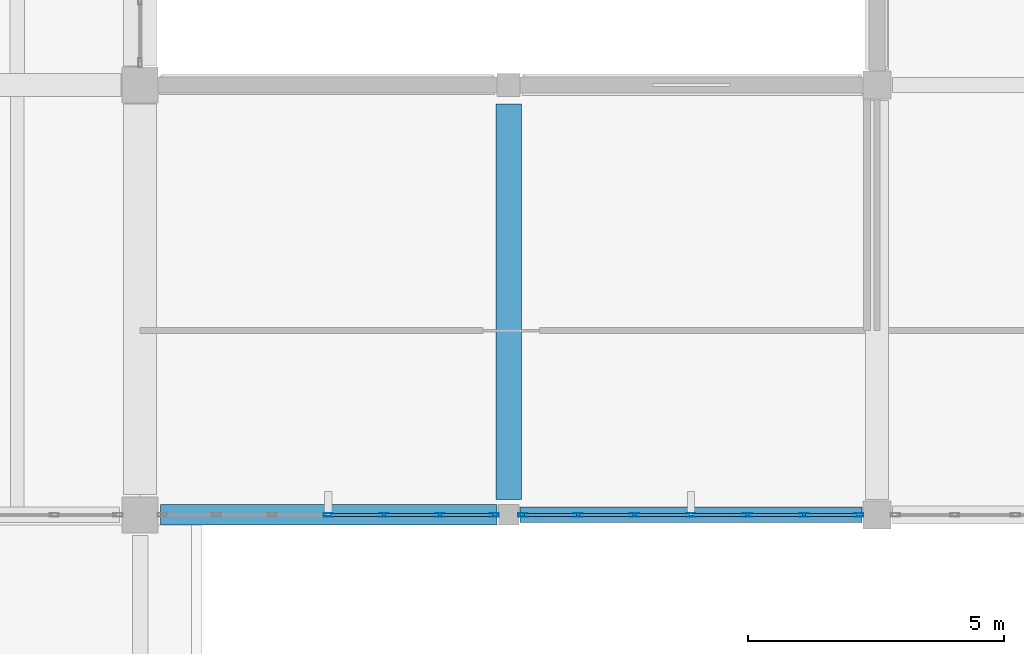
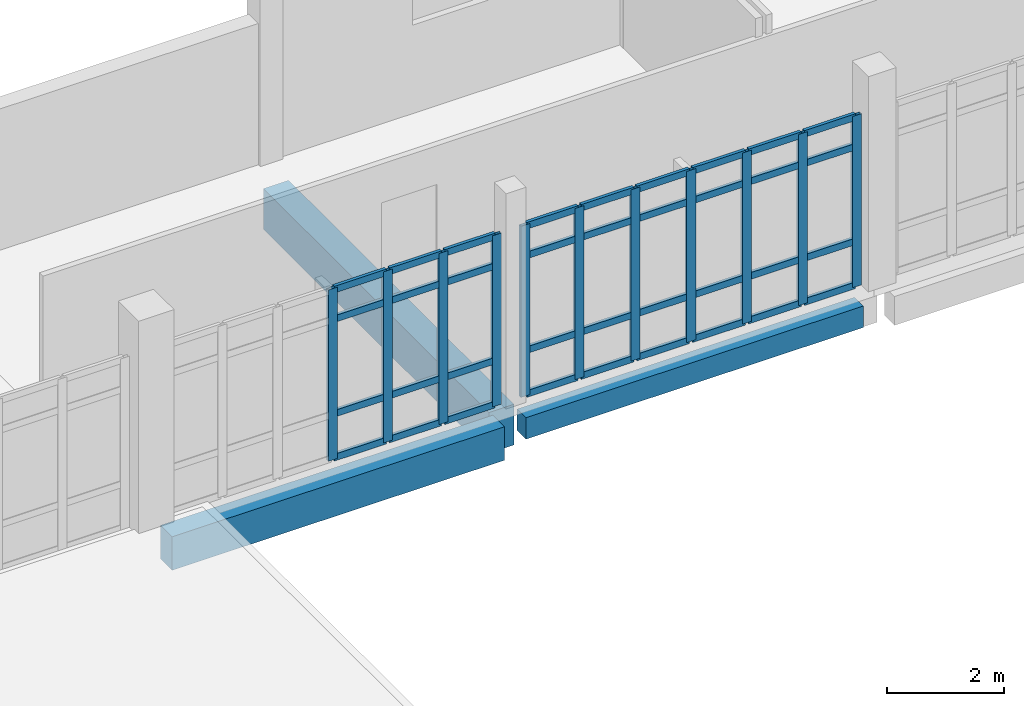
# One storey, part 70 of 134: 47 members, 3 beams, 2 elements without a shape of their own.
"""IFC4 building model written with IfcOpenShell, lengths in metres."""

from ifc_helpers import new_model, si_unit, direction, frame, origin, origin_2d, place, context, subcontext, project, spatial, rectangle, hollow_rectangle, extrude, material, material_profile, profile_set, type_object, element, aggregate, save


model = new_model("IFC4")

# Units and contexts
model_context = context("Model", 3, precision=1e-05, world=origin(), true_north=direction((0.0, 1.0)))
body_context = subcontext(model_context, "Body", "Model", "MODEL_VIEW")
ifc_project = project(units=[si_unit("LENGTHUNIT", "METRE"), si_unit("AREAUNIT", "SQUARE_METRE"), si_unit("VOLUMEUNIT", "CUBIC_METRE"), si_unit("PLANEANGLEUNIT", "RADIAN"), si_unit("MASSUNIT", "GRAM", prefix="KILO")], contexts=[model_context])

# Site, building, storey
site_placement = place(None, origin())
site = spatial("IfcSite", under=ifc_project, at=site_placement, CompositionType="ELEMENT")
building_placement = place(site_placement, origin())
building = spatial("IfcBuilding", under=site, at=building_placement, Name="Kalluvel Institute of Natural Sciences", CompositionType="ELEMENT")
storey_placement = place(building_placement, frame((0.0, 0.0, 5.39990234375)))
storey = spatial("IfcBuildingStorey", under=building, at=storey_placement, Name="L01", CompositionType="ELEMENT", Elevation=5.39990234375)

# Beam
ifc_material_1 = material(Name="Concrete M50", Category="concrete")
ifc_material_profile_1 = material_profile(ifc_material_1, rectangle(XDim=0.5, YDim=0.85009765625, at=origin_2d()), Name="RCB 500x850")
ifc_profile_set_1 = profile_set([ifc_material_profile_1], Name="Concrete M50")
beam_type_1 = type_object("IfcBeamType", Name="BM-RC500x850", PredefinedType="BEAM", material=ifc_profile_set_1)
beam_1_placement = place(storey_placement, frame((122.0, 103.10009765625, -0.784912109375), z_axis=(0.0, 1.0, 0.0), x_axis=(-1.0, 0.0, 0.0)))
element("IfcBeam", 1, at=beam_1_placement, inside=storey, type_object=beam_type_1, Name="L01 girder GIR-L01-NS-X1220-Y1028", PredefinedType="BEAM", context=body_context, shape_type="SweptSolid", body=[
    extrude(rectangle(XDim=0.5, YDim=0.85009765625, at=origin_2d()), origin(), (0.0, 0.0, 1.0), 7.724853515625),
])

# Curtain wall, members
ifc_material_2 = material(Name="Aluminium AW-6063 T6", Category="aluminium")
curtain_wall_type = type_object("IfcCurtainWallType", Name="CW-CLN-45", PredefinedType="USERDEFINED", material=ifc_material_2)
curtain_wall_1_placement = place(storey_placement, origin())
curtain_wall_1 = element("IfcCurtainWall", 2, at=curtain_wall_1_placement, inside=storey, type_object=curtain_wall_type, Name="L01 Gothic lancet curtain wall CWA-L01-X1152-Y1028", ObjectType="UNITISED LANCET FACADE", PredefinedType="USERDEFINED")
ifc_material_profile_2 = material_profile(ifc_material_2, hollow_rectangle(XDim=0.06494140625, YDim=0.179931640625, WallThickness=0.00439453125, at=origin_2d()), Name="CWM 65x180")
ifc_profile_set_2 = profile_set([ifc_material_profile_2], Name="Aluminium AW-6063 T6")
member_type_1 = type_object("IfcMemberType", Name="CWM-65x180", PredefinedType="MULLION", material=ifc_profile_set_2)
member_1_placement = place(storey_placement, frame((118.47509765625, 102.800048828125, 0.0), z_axis=(0.0, 0.0, 1.0), x_axis=(0.0, 1.0, 0.0)))
member_1 = element("IfcMember", 3, at=member_1_placement, type_object=member_type_1, Name="CW-08 mullion 4", PredefinedType="MULLION", context=body_context, shape_type="SweptSolid", body=[
    extrude(hollow_rectangle(XDim=0.06494140625, YDim=0.179931640625, WallThickness=0.00439453125, at=origin_2d()), origin(), (0.0, 0.0, 1.0), 3.580078125),
])
member_2_placement = place(storey_placement, frame((119.566650390625, 102.800048828125, 0.0), z_axis=(0.0, 0.0, 1.0), x_axis=(0.0, 1.0, 0.0)))
member_2 = element("IfcMember", 4, at=member_2_placement, type_object=member_type_1, Name="CW-08 mullion 5", PredefinedType="MULLION", context=body_context, shape_type="SweptSolid", body=[
    extrude(hollow_rectangle(XDim=0.06494140625, YDim=0.179931640625, WallThickness=0.00439453125, at=origin_2d()), origin(), (0.0, 0.0, 1.0), 3.580078125),
])
member_3_placement = place(storey_placement, frame((120.658447265625, 102.800048828125, 0.0), z_axis=(0.0, 0.0, 1.0), x_axis=(0.0, 1.0, 0.0)))
member_3 = element("IfcMember", 5, at=member_3_placement, type_object=member_type_1, Name="CW-08 mullion 6", PredefinedType="MULLION", context=body_context, shape_type="SweptSolid", body=[
    extrude(hollow_rectangle(XDim=0.06494140625, YDim=0.179931640625, WallThickness=0.00439453125, at=origin_2d()), origin(), (0.0, 0.0, 1.0), 3.580078125),
])
member_4_placement = place(storey_placement, frame((121.717529296875, 102.800048828125, 0.0), z_axis=(0.0, 0.0, 1.0), x_axis=(0.0, 1.0, 0.0)))
member_4 = element("IfcMember", 6, at=member_4_placement, type_object=member_type_1, Name="CW-08 mullion 7", PredefinedType="MULLION", context=body_context, shape_type="SweptSolid", body=[
    extrude(hollow_rectangle(XDim=0.06494140625, YDim=0.179931640625, WallThickness=0.00439453125, at=origin_2d()), origin(), (0.0, 0.0, 1.0), 3.580078125),
])

curtain_wall_2_placement = place(storey_placement, origin())
curtain_wall_2 = element("IfcCurtainWall", 7, at=curtain_wall_2_placement, inside=storey, type_object=curtain_wall_type, Name="L01 Gothic lancet curtain wall CWA-L01-X1222-Y1028", ObjectType="UNITISED LANCET FACADE", PredefinedType="USERDEFINED")
member_5_placement = place(storey_placement, frame((122.282470703125, 102.800048828125, 0.0), z_axis=(0.0, 0.0, 1.0), x_axis=(0.0, 1.0, 0.0)))
member_5 = element("IfcMember", 8, at=member_5_placement, type_object=member_type_1, Name="CW-08 mullion 1", PredefinedType="MULLION", context=body_context, shape_type="SweptSolid", body=[
    extrude(hollow_rectangle(XDim=0.06494140625, YDim=0.179931640625, WallThickness=0.00439453125, at=origin_2d()), origin(), (0.0, 0.0, 1.0), 3.580078125),
])
member_6_placement = place(storey_placement, frame((123.354248046875, 102.800048828125, 0.0), z_axis=(0.0, 0.0, 1.0), x_axis=(0.0, 1.0, 0.0)))
member_6 = element("IfcMember", 9, at=member_6_placement, type_object=member_type_1, Name="CW-08 mullion 2", PredefinedType="MULLION", context=body_context, shape_type="SweptSolid", body=[
    extrude(hollow_rectangle(XDim=0.06494140625, YDim=0.179931640625, WallThickness=0.00439453125, at=origin_2d()), origin(), (0.0, 0.0, 1.0), 3.580078125),
])
member_7_placement = place(storey_placement, frame((124.458251953125, 102.800048828125, 0.0), z_axis=(0.0, 0.0, 1.0), x_axis=(0.0, 1.0, 0.0)))
member_7 = element("IfcMember", 10, at=member_7_placement, type_object=member_type_1, Name="CW-08 mullion 3", PredefinedType="MULLION", context=body_context, shape_type="SweptSolid", body=[
    extrude(hollow_rectangle(XDim=0.06494140625, YDim=0.179931640625, WallThickness=0.00439453125, at=origin_2d()), origin(), (0.0, 0.0, 1.0), 3.580078125),
])
member_8_placement = place(storey_placement, frame((125.5625, 102.800048828125, 0.0), z_axis=(0.0, 0.0, 1.0), x_axis=(0.0, 1.0, 0.0)))
member_8 = element("IfcMember", 11, at=member_8_placement, type_object=member_type_1, Name="CW-08 mullion 4", PredefinedType="MULLION", context=body_context, shape_type="SweptSolid", body=[
    extrude(hollow_rectangle(XDim=0.06494140625, YDim=0.179931640625, WallThickness=0.00439453125, at=origin_2d()), origin(), (0.0, 0.0, 1.0), 3.580078125),
])
member_9_placement = place(storey_placement, frame((126.666748046875, 102.800048828125, 0.0), z_axis=(0.0, 0.0, 1.0), x_axis=(0.0, 1.0, 0.0)))
member_9 = element("IfcMember", 12, at=member_9_placement, type_object=member_type_1, Name="CW-08 mullion 5", PredefinedType="MULLION", context=body_context, shape_type="SweptSolid", body=[
    extrude(hollow_rectangle(XDim=0.06494140625, YDim=0.179931640625, WallThickness=0.00439453125, at=origin_2d()), origin(), (0.0, 0.0, 1.0), 3.580078125),
])
member_10_placement = place(storey_placement, frame((127.770751953125, 102.800048828125, 0.0), z_axis=(0.0, 0.0, 1.0), x_axis=(0.0, 1.0, 0.0)))
member_10 = element("IfcMember", 13, at=member_10_placement, type_object=member_type_1, Name="CW-08 mullion 6", PredefinedType="MULLION", context=body_context, shape_type="SweptSolid", body=[
    extrude(hollow_rectangle(XDim=0.06494140625, YDim=0.179931640625, WallThickness=0.00439453125, at=origin_2d()), origin(), (0.0, 0.0, 1.0), 3.580078125),
])
member_11_placement = place(storey_placement, frame((128.842529296875, 102.800048828125, 0.0), z_axis=(0.0, 0.0, 1.0), x_axis=(0.0, 1.0, 0.0)))
member_11 = element("IfcMember", 14, at=member_11_placement, type_object=member_type_1, Name="CW-08 mullion 7", PredefinedType="MULLION", context=body_context, shape_type="SweptSolid", body=[
    extrude(hollow_rectangle(XDim=0.06494140625, YDim=0.179931640625, WallThickness=0.00439453125, at=origin_2d()), origin(), (0.0, 0.0, 1.0), 3.580078125),
])

# Member
ifc_material_profile_3 = material_profile(ifc_material_2, hollow_rectangle(XDim=0.06494140625, YDim=0.139892578125, WallThickness=0.00439453125, at=origin_2d()), Name="CWT 65x140")
ifc_profile_set_3 = profile_set([ifc_material_profile_3], Name="Aluminium AW-6063 T6")
member_type_2 = type_object("IfcMemberType", Name="CWT-65x140", PredefinedType="USERDEFINED", material=ifc_profile_set_3)
member_12_placement = place(storey_placement, frame((118.507568359375, 102.800048828125, 0.03271484375), z_axis=(1.0, 0.0, 0.0), x_axis=(0.0, 1.0, 0.0)))
member_12 = element("IfcMember", 15, at=member_12_placement, type_object=member_type_2, Name="CW-08 transom 4.1", ObjectType="TRANSOM", PredefinedType="USERDEFINED", context=body_context, shape_type="SweptSolid", body=[
    extrude(hollow_rectangle(XDim=0.06494140625, YDim=0.139892578125, WallThickness=0.00439453125, at=origin_2d()), origin(), (0.0, 0.0, 1.0), 1.026611328125),
])

member_13_placement = place(storey_placement, frame((118.507568359375, 102.800048828125, 0.9501953125), z_axis=(1.0, 0.0, 0.0), x_axis=(0.0, 1.0, 0.0)))
member_13 = element("IfcMember", 16, at=member_13_placement, type_object=member_type_2, Name="CW-08 transom 4.2", ObjectType="TRANSOM", PredefinedType="USERDEFINED", context=body_context, shape_type="SweptSolid", body=[
    extrude(hollow_rectangle(XDim=0.06494140625, YDim=0.139892578125, WallThickness=0.00439453125, at=origin_2d()), origin(), (0.0, 0.0, 1.0), 1.026611328125),
])

member_14_placement = place(storey_placement, frame((118.507568359375, 102.800048828125, 2.93017578125), z_axis=(1.0, 0.0, 0.0), x_axis=(0.0, 1.0, 0.0)))
member_14 = element("IfcMember", 17, at=member_14_placement, type_object=member_type_2, Name="CW-08 transom 4.3", ObjectType="TRANSOM", PredefinedType="USERDEFINED", context=body_context, shape_type="SweptSolid", body=[
    extrude(hollow_rectangle(XDim=0.06494140625, YDim=0.139892578125, WallThickness=0.00439453125, at=origin_2d()), origin(), (0.0, 0.0, 1.0), 1.026611328125),
])

member_15_placement = place(storey_placement, frame((118.507568359375, 102.800048828125, 3.547607421875), z_axis=(1.0, 0.0, 0.0), x_axis=(0.0, 1.0, 0.0)))
member_15 = element("IfcMember", 18, at=member_15_placement, type_object=member_type_2, Name="CW-08 transom 4.4", ObjectType="TRANSOM", PredefinedType="USERDEFINED", context=body_context, shape_type="SweptSolid", body=[
    extrude(hollow_rectangle(XDim=0.06494140625, YDim=0.139892578125, WallThickness=0.00439453125, at=origin_2d()), origin(), (0.0, 0.0, 1.0), 1.026611328125),
])

member_16_placement = place(storey_placement, frame((119.59912109375, 102.800048828125, 0.03271484375), z_axis=(1.0, 0.0, 0.0), x_axis=(0.0, 1.0, 0.0)))
member_16 = element("IfcMember", 19, at=member_16_placement, type_object=member_type_2, Name="CW-08 transom 5.1", ObjectType="TRANSOM", PredefinedType="USERDEFINED", context=body_context, shape_type="SweptSolid", body=[
    extrude(hollow_rectangle(XDim=0.06494140625, YDim=0.139892578125, WallThickness=0.00439453125, at=origin_2d()), origin(), (0.0, 0.0, 1.0), 1.026611328125),
])

member_17_placement = place(storey_placement, frame((119.59912109375, 102.800048828125, 0.9501953125), z_axis=(1.0, 0.0, 0.0), x_axis=(0.0, 1.0, 0.0)))
member_17 = element("IfcMember", 20, at=member_17_placement, type_object=member_type_2, Name="CW-08 transom 5.2", ObjectType="TRANSOM", PredefinedType="USERDEFINED", context=body_context, shape_type="SweptSolid", body=[
    extrude(hollow_rectangle(XDim=0.06494140625, YDim=0.139892578125, WallThickness=0.00439453125, at=origin_2d()), origin(), (0.0, 0.0, 1.0), 1.026611328125),
])

member_18_placement = place(storey_placement, frame((119.59912109375, 102.800048828125, 2.93017578125), z_axis=(1.0, 0.0, 0.0), x_axis=(0.0, 1.0, 0.0)))
member_18 = element("IfcMember", 21, at=member_18_placement, type_object=member_type_2, Name="CW-08 transom 5.3", ObjectType="TRANSOM", PredefinedType="USERDEFINED", context=body_context, shape_type="SweptSolid", body=[
    extrude(hollow_rectangle(XDim=0.06494140625, YDim=0.139892578125, WallThickness=0.00439453125, at=origin_2d()), origin(), (0.0, 0.0, 1.0), 1.026611328125),
])

member_19_placement = place(storey_placement, frame((119.59912109375, 102.800048828125, 3.547607421875), z_axis=(1.0, 0.0, 0.0), x_axis=(0.0, 1.0, 0.0)))
member_19 = element("IfcMember", 22, at=member_19_placement, type_object=member_type_2, Name="CW-08 transom 5.4", ObjectType="TRANSOM", PredefinedType="USERDEFINED", context=body_context, shape_type="SweptSolid", body=[
    extrude(hollow_rectangle(XDim=0.06494140625, YDim=0.139892578125, WallThickness=0.00439453125, at=origin_2d()), origin(), (0.0, 0.0, 1.0), 1.026611328125),
])

member_20_placement = place(storey_placement, frame((120.69091796875, 102.800048828125, 0.03271484375), z_axis=(1.0, 0.0, 0.0), x_axis=(0.0, 1.0, 0.0)))
member_20 = element("IfcMember", 23, at=member_20_placement, type_object=member_type_2, Name="CW-08 transom 6.1", ObjectType="TRANSOM", PredefinedType="USERDEFINED", context=body_context, shape_type="SweptSolid", body=[
    extrude(hollow_rectangle(XDim=0.06494140625, YDim=0.139892578125, WallThickness=0.00439453125, at=origin_2d()), origin(), (0.0, 0.0, 1.0), 0.994140625),
])

member_21_placement = place(storey_placement, frame((120.69091796875, 102.800048828125, 0.9501953125), z_axis=(1.0, 0.0, 0.0), x_axis=(0.0, 1.0, 0.0)))
member_21 = element("IfcMember", 24, at=member_21_placement, type_object=member_type_2, Name="CW-08 transom 6.2", ObjectType="TRANSOM", PredefinedType="USERDEFINED", context=body_context, shape_type="SweptSolid", body=[
    extrude(hollow_rectangle(XDim=0.06494140625, YDim=0.139892578125, WallThickness=0.00439453125, at=origin_2d()), origin(), (0.0, 0.0, 1.0), 0.994140625),
])

member_22_placement = place(storey_placement, frame((120.69091796875, 102.800048828125, 2.93017578125), z_axis=(1.0, 0.0, 0.0), x_axis=(0.0, 1.0, 0.0)))
member_22 = element("IfcMember", 25, at=member_22_placement, type_object=member_type_2, Name="CW-08 transom 6.3", ObjectType="TRANSOM", PredefinedType="USERDEFINED", context=body_context, shape_type="SweptSolid", body=[
    extrude(hollow_rectangle(XDim=0.06494140625, YDim=0.139892578125, WallThickness=0.00439453125, at=origin_2d()), origin(), (0.0, 0.0, 1.0), 0.994140625),
])

member_23_placement = place(storey_placement, frame((120.69091796875, 102.800048828125, 3.547607421875), z_axis=(1.0, 0.0, 0.0), x_axis=(0.0, 1.0, 0.0)))
member_23 = element("IfcMember", 26, at=member_23_placement, type_object=member_type_2, Name="CW-08 transom 6.4", ObjectType="TRANSOM", PredefinedType="USERDEFINED", context=body_context, shape_type="SweptSolid", body=[
    extrude(hollow_rectangle(XDim=0.06494140625, YDim=0.139892578125, WallThickness=0.00439453125, at=origin_2d()), origin(), (0.0, 0.0, 1.0), 0.994140625),
])

aggregate(curtain_wall_1, [member_1, member_2, member_3, member_4, member_12, member_13, member_14, member_15, member_16, member_17, member_18, member_19, member_20, member_21, member_22, member_23])

member_24_placement = place(storey_placement, frame((122.31494140625, 102.800048828125, 0.03271484375), z_axis=(1.0, 0.0, 0.0), x_axis=(0.0, 1.0, 0.0)))
member_24 = element("IfcMember", 27, at=member_24_placement, type_object=member_type_2, Name="CW-08 transom 1.1", ObjectType="TRANSOM", PredefinedType="USERDEFINED", context=body_context, shape_type="SweptSolid", body=[
    extrude(hollow_rectangle(XDim=0.06494140625, YDim=0.139892578125, WallThickness=0.00439453125, at=origin_2d()), origin(), (0.0, 0.0, 1.0), 1.0068359375),
])

member_25_placement = place(storey_placement, frame((122.31494140625, 102.800048828125, 0.9501953125), z_axis=(1.0, 0.0, 0.0), x_axis=(0.0, 1.0, 0.0)))
member_25 = element("IfcMember", 28, at=member_25_placement, type_object=member_type_2, Name="CW-08 transom 1.2", ObjectType="TRANSOM", PredefinedType="USERDEFINED", context=body_context, shape_type="SweptSolid", body=[
    extrude(hollow_rectangle(XDim=0.06494140625, YDim=0.139892578125, WallThickness=0.00439453125, at=origin_2d()), origin(), (0.0, 0.0, 1.0), 1.0068359375),
])

member_26_placement = place(storey_placement, frame((122.31494140625, 102.800048828125, 2.93017578125), z_axis=(1.0, 0.0, 0.0), x_axis=(0.0, 1.0, 0.0)))
member_26 = element("IfcMember", 29, at=member_26_placement, type_object=member_type_2, Name="CW-08 transom 1.3", ObjectType="TRANSOM", PredefinedType="USERDEFINED", context=body_context, shape_type="SweptSolid", body=[
    extrude(hollow_rectangle(XDim=0.06494140625, YDim=0.139892578125, WallThickness=0.00439453125, at=origin_2d()), origin(), (0.0, 0.0, 1.0), 1.0068359375),
])

member_27_placement = place(storey_placement, frame((122.31494140625, 102.800048828125, 3.547607421875), z_axis=(1.0, 0.0, 0.0), x_axis=(0.0, 1.0, 0.0)))
member_27 = element("IfcMember", 30, at=member_27_placement, type_object=member_type_2, Name="CW-08 transom 1.4", ObjectType="TRANSOM", PredefinedType="USERDEFINED", context=body_context, shape_type="SweptSolid", body=[
    extrude(hollow_rectangle(XDim=0.06494140625, YDim=0.139892578125, WallThickness=0.00439453125, at=origin_2d()), origin(), (0.0, 0.0, 1.0), 1.0068359375),
])

member_28_placement = place(storey_placement, frame((123.38671875, 102.800048828125, 0.03271484375), z_axis=(1.0, 0.0, 0.0), x_axis=(0.0, 1.0, 0.0)))
member_28 = element("IfcMember", 31, at=member_28_placement, type_object=member_type_2, Name="CW-08 transom 2.1", ObjectType="TRANSOM", PredefinedType="USERDEFINED", context=body_context, shape_type="SweptSolid", body=[
    extrude(hollow_rectangle(XDim=0.06494140625, YDim=0.139892578125, WallThickness=0.00439453125, at=origin_2d()), origin(), (0.0, 0.0, 1.0), 1.0390625),
])

member_29_placement = place(storey_placement, frame((123.38671875, 102.800048828125, 0.9501953125), z_axis=(1.0, 0.0, 0.0), x_axis=(0.0, 1.0, 0.0)))
member_29 = element("IfcMember", 32, at=member_29_placement, type_object=member_type_2, Name="CW-08 transom 2.2", ObjectType="TRANSOM", PredefinedType="USERDEFINED", context=body_context, shape_type="SweptSolid", body=[
    extrude(hollow_rectangle(XDim=0.06494140625, YDim=0.139892578125, WallThickness=0.00439453125, at=origin_2d()), origin(), (0.0, 0.0, 1.0), 1.0390625),
])

member_30_placement = place(storey_placement, frame((123.38671875, 102.800048828125, 2.93017578125), z_axis=(1.0, 0.0, 0.0), x_axis=(0.0, 1.0, 0.0)))
member_30 = element("IfcMember", 33, at=member_30_placement, type_object=member_type_2, Name="CW-08 transom 2.3", ObjectType="TRANSOM", PredefinedType="USERDEFINED", context=body_context, shape_type="SweptSolid", body=[
    extrude(hollow_rectangle(XDim=0.06494140625, YDim=0.139892578125, WallThickness=0.00439453125, at=origin_2d()), origin(), (0.0, 0.0, 1.0), 1.0390625),
])

member_31_placement = place(storey_placement, frame((123.38671875, 102.800048828125, 3.547607421875), z_axis=(1.0, 0.0, 0.0), x_axis=(0.0, 1.0, 0.0)))
member_31 = element("IfcMember", 34, at=member_31_placement, type_object=member_type_2, Name="CW-08 transom 2.4", ObjectType="TRANSOM", PredefinedType="USERDEFINED", context=body_context, shape_type="SweptSolid", body=[
    extrude(hollow_rectangle(XDim=0.06494140625, YDim=0.139892578125, WallThickness=0.00439453125, at=origin_2d()), origin(), (0.0, 0.0, 1.0), 1.0390625),
])

member_32_placement = place(storey_placement, frame((124.49072265625, 102.800048828125, 0.03271484375), z_axis=(1.0, 0.0, 0.0), x_axis=(0.0, 1.0, 0.0)))
member_32 = element("IfcMember", 35, at=member_32_placement, type_object=member_type_2, Name="CW-08 transom 3.1", ObjectType="TRANSOM", PredefinedType="USERDEFINED", context=body_context, shape_type="SweptSolid", body=[
    extrude(hollow_rectangle(XDim=0.06494140625, YDim=0.139892578125, WallThickness=0.00439453125, at=origin_2d()), origin(), (0.0, 0.0, 1.0), 1.039306640625),
])

member_33_placement = place(storey_placement, frame((124.49072265625, 102.800048828125, 0.9501953125), z_axis=(1.0, 0.0, 0.0), x_axis=(0.0, 1.0, 0.0)))
member_33 = element("IfcMember", 36, at=member_33_placement, type_object=member_type_2, Name="CW-08 transom 3.2", ObjectType="TRANSOM", PredefinedType="USERDEFINED", context=body_context, shape_type="SweptSolid", body=[
    extrude(hollow_rectangle(XDim=0.06494140625, YDim=0.139892578125, WallThickness=0.00439453125, at=origin_2d()), origin(), (0.0, 0.0, 1.0), 1.039306640625),
])

member_34_placement = place(storey_placement, frame((124.49072265625, 102.800048828125, 2.93017578125), z_axis=(1.0, 0.0, 0.0), x_axis=(0.0, 1.0, 0.0)))
member_34 = element("IfcMember", 37, at=member_34_placement, type_object=member_type_2, Name="CW-08 transom 3.3", ObjectType="TRANSOM", PredefinedType="USERDEFINED", context=body_context, shape_type="SweptSolid", body=[
    extrude(hollow_rectangle(XDim=0.06494140625, YDim=0.139892578125, WallThickness=0.00439453125, at=origin_2d()), origin(), (0.0, 0.0, 1.0), 1.039306640625),
])

member_35_placement = place(storey_placement, frame((124.49072265625, 102.800048828125, 3.547607421875), z_axis=(1.0, 0.0, 0.0), x_axis=(0.0, 1.0, 0.0)))
member_35 = element("IfcMember", 38, at=member_35_placement, type_object=member_type_2, Name="CW-08 transom 3.4", ObjectType="TRANSOM", PredefinedType="USERDEFINED", context=body_context, shape_type="SweptSolid", body=[
    extrude(hollow_rectangle(XDim=0.06494140625, YDim=0.139892578125, WallThickness=0.00439453125, at=origin_2d()), origin(), (0.0, 0.0, 1.0), 1.039306640625),
])

member_36_placement = place(storey_placement, frame((125.594970703125, 102.800048828125, 0.03271484375), z_axis=(1.0, 0.0, 0.0), x_axis=(0.0, 1.0, 0.0)))
member_36 = element("IfcMember", 39, at=member_36_placement, type_object=member_type_2, Name="CW-08 transom 4.1", ObjectType="TRANSOM", PredefinedType="USERDEFINED", context=body_context, shape_type="SweptSolid", body=[
    extrude(hollow_rectangle(XDim=0.06494140625, YDim=0.139892578125, WallThickness=0.00439453125, at=origin_2d()), origin(), (0.0, 0.0, 1.0), 1.039306640625),
])

member_37_placement = place(storey_placement, frame((125.594970703125, 102.800048828125, 0.9501953125), z_axis=(1.0, 0.0, 0.0), x_axis=(0.0, 1.0, 0.0)))
member_37 = element("IfcMember", 40, at=member_37_placement, type_object=member_type_2, Name="CW-08 transom 4.2", ObjectType="TRANSOM", PredefinedType="USERDEFINED", context=body_context, shape_type="SweptSolid", body=[
    extrude(hollow_rectangle(XDim=0.06494140625, YDim=0.139892578125, WallThickness=0.00439453125, at=origin_2d()), origin(), (0.0, 0.0, 1.0), 1.039306640625),
])

member_38_placement = place(storey_placement, frame((125.594970703125, 102.800048828125, 2.93017578125), z_axis=(1.0, 0.0, 0.0), x_axis=(0.0, 1.0, 0.0)))
member_38 = element("IfcMember", 41, at=member_38_placement, type_object=member_type_2, Name="CW-08 transom 4.3", ObjectType="TRANSOM", PredefinedType="USERDEFINED", context=body_context, shape_type="SweptSolid", body=[
    extrude(hollow_rectangle(XDim=0.06494140625, YDim=0.139892578125, WallThickness=0.00439453125, at=origin_2d()), origin(), (0.0, 0.0, 1.0), 1.039306640625),
])

member_39_placement = place(storey_placement, frame((125.594970703125, 102.800048828125, 3.547607421875), z_axis=(1.0, 0.0, 0.0), x_axis=(0.0, 1.0, 0.0)))
member_39 = element("IfcMember", 42, at=member_39_placement, type_object=member_type_2, Name="CW-08 transom 4.4", ObjectType="TRANSOM", PredefinedType="USERDEFINED", context=body_context, shape_type="SweptSolid", body=[
    extrude(hollow_rectangle(XDim=0.06494140625, YDim=0.139892578125, WallThickness=0.00439453125, at=origin_2d()), origin(), (0.0, 0.0, 1.0), 1.039306640625),
])

member_40_placement = place(storey_placement, frame((126.69921875, 102.800048828125, 0.03271484375), z_axis=(1.0, 0.0, 0.0), x_axis=(0.0, 1.0, 0.0)))
member_40 = element("IfcMember", 43, at=member_40_placement, type_object=member_type_2, Name="CW-08 transom 5.1", ObjectType="TRANSOM", PredefinedType="USERDEFINED", context=body_context, shape_type="SweptSolid", body=[
    extrude(hollow_rectangle(XDim=0.06494140625, YDim=0.139892578125, WallThickness=0.00439453125, at=origin_2d()), origin(), (0.0, 0.0, 1.0), 1.0390625),
])

member_41_placement = place(storey_placement, frame((126.69921875, 102.800048828125, 0.9501953125), z_axis=(1.0, 0.0, 0.0), x_axis=(0.0, 1.0, 0.0)))
member_41 = element("IfcMember", 44, at=member_41_placement, type_object=member_type_2, Name="CW-08 transom 5.2", ObjectType="TRANSOM", PredefinedType="USERDEFINED", context=body_context, shape_type="SweptSolid", body=[
    extrude(hollow_rectangle(XDim=0.06494140625, YDim=0.139892578125, WallThickness=0.00439453125, at=origin_2d()), origin(), (0.0, 0.0, 1.0), 1.0390625),
])

member_42_placement = place(storey_placement, frame((126.69921875, 102.800048828125, 2.93017578125), z_axis=(1.0, 0.0, 0.0), x_axis=(0.0, 1.0, 0.0)))
member_42 = element("IfcMember", 45, at=member_42_placement, type_object=member_type_2, Name="CW-08 transom 5.3", ObjectType="TRANSOM", PredefinedType="USERDEFINED", context=body_context, shape_type="SweptSolid", body=[
    extrude(hollow_rectangle(XDim=0.06494140625, YDim=0.139892578125, WallThickness=0.00439453125, at=origin_2d()), origin(), (0.0, 0.0, 1.0), 1.0390625),
])

member_43_placement = place(storey_placement, frame((126.69921875, 102.800048828125, 3.547607421875), z_axis=(1.0, 0.0, 0.0), x_axis=(0.0, 1.0, 0.0)))
member_43 = element("IfcMember", 46, at=member_43_placement, type_object=member_type_2, Name="CW-08 transom 5.4", ObjectType="TRANSOM", PredefinedType="USERDEFINED", context=body_context, shape_type="SweptSolid", body=[
    extrude(hollow_rectangle(XDim=0.06494140625, YDim=0.139892578125, WallThickness=0.00439453125, at=origin_2d()), origin(), (0.0, 0.0, 1.0), 1.0390625),
])

member_44_placement = place(storey_placement, frame((127.80322265625, 102.800048828125, 0.03271484375), z_axis=(1.0, 0.0, 0.0), x_axis=(0.0, 1.0, 0.0)))
member_44 = element("IfcMember", 47, at=member_44_placement, type_object=member_type_2, Name="CW-08 transom 6.1", ObjectType="TRANSOM", PredefinedType="USERDEFINED", context=body_context, shape_type="SweptSolid", body=[
    extrude(hollow_rectangle(XDim=0.06494140625, YDim=0.139892578125, WallThickness=0.00439453125, at=origin_2d()), origin(), (0.0, 0.0, 1.0), 1.0068359375),
])

member_45_placement = place(storey_placement, frame((127.80322265625, 102.800048828125, 0.9501953125), z_axis=(1.0, 0.0, 0.0), x_axis=(0.0, 1.0, 0.0)))
member_45 = element("IfcMember", 48, at=member_45_placement, type_object=member_type_2, Name="CW-08 transom 6.2", ObjectType="TRANSOM", PredefinedType="USERDEFINED", context=body_context, shape_type="SweptSolid", body=[
    extrude(hollow_rectangle(XDim=0.06494140625, YDim=0.139892578125, WallThickness=0.00439453125, at=origin_2d()), origin(), (0.0, 0.0, 1.0), 1.0068359375),
])

member_46_placement = place(storey_placement, frame((127.80322265625, 102.800048828125, 2.93017578125), z_axis=(1.0, 0.0, 0.0), x_axis=(0.0, 1.0, 0.0)))
member_46 = element("IfcMember", 49, at=member_46_placement, type_object=member_type_2, Name="CW-08 transom 6.3", ObjectType="TRANSOM", PredefinedType="USERDEFINED", context=body_context, shape_type="SweptSolid", body=[
    extrude(hollow_rectangle(XDim=0.06494140625, YDim=0.139892578125, WallThickness=0.00439453125, at=origin_2d()), origin(), (0.0, 0.0, 1.0), 1.0068359375),
])

member_47_placement = place(storey_placement, frame((127.80322265625, 102.800048828125, 3.547607421875), z_axis=(1.0, 0.0, 0.0), x_axis=(0.0, 1.0, 0.0)))
member_47 = element("IfcMember", 50, at=member_47_placement, type_object=member_type_2, Name="CW-08 transom 6.4", ObjectType="TRANSOM", PredefinedType="USERDEFINED", context=body_context, shape_type="SweptSolid", body=[
    extrude(hollow_rectangle(XDim=0.06494140625, YDim=0.139892578125, WallThickness=0.00439453125, at=origin_2d()), origin(), (0.0, 0.0, 1.0), 1.0068359375),
])

aggregate(curtain_wall_2, [member_5, member_6, member_7, member_8, member_9, member_10, member_11, member_24, member_25, member_26, member_27, member_28, member_29, member_30, member_31, member_32, member_33, member_34, member_35, member_36, member_37, member_38, member_39, member_40, member_41, member_42, member_43, member_44, member_45, member_46, member_47])

# Beams
ifc_material_3 = material(Name="Concrete M40", Category="concrete")
ifc_material_profile_4 = material_profile(ifc_material_3, rectangle(XDim=0.300048828125, YDim=0.449951171875, at=origin_2d()), Name="RCB 300x450")
ifc_profile_set_4 = profile_set([ifc_material_profile_4], Name="Concrete M40")
beam_type_2 = type_object("IfcBeamType", Name="SP-RC300x450", PredefinedType="SPANDREL", material=ifc_profile_set_4)
beam_2_placement = place(storey_placement, frame((122.22509765625, 102.800048828125, -0.5849609375), z_axis=(1.0, 0.0, 0.0), x_axis=(0.0, 1.0, 0.0)))
element("IfcBeam", 51, at=beam_2_placement, inside=storey, type_object=beam_type_2, Name="L01 girder GIR-L01-EW-X1220-Y1028", PredefinedType="SPANDREL", context=body_context, shape_type="SweptSolid", body=[
    extrude(rectangle(XDim=0.300048828125, YDim=0.449951171875, at=origin_2d()), origin(), (0.0, 0.0, 1.0), 6.6748046875),
])
ifc_material_profile_5 = material_profile(ifc_material_3, rectangle(XDim=0.39990234375, YDim=0.699951171875, at=origin_2d()), Name="RCB 400x700")
ifc_profile_set_5 = profile_set([ifc_material_profile_5], Name="Concrete M40")
beam_type_3 = type_object("IfcBeamType", Name="SP-RC400x700", PredefinedType="SPANDREL", material=ifc_profile_set_5)
beam_3_placement = place(storey_placement, frame((115.199951171875, 102.800048828125, -0.7099609375), z_axis=(1.0, 0.0, 0.0), x_axis=(0.0, 1.0, 0.0)))
element("IfcBeam", 52, at=beam_3_placement, inside=storey, type_object=beam_type_3, Name="L01 girder GIR-L01-EW-X1148-Y1028", PredefinedType="SPANDREL", context=body_context, shape_type="SweptSolid", body=[
    extrude(rectangle(XDim=0.39990234375, YDim=0.699951171875, at=origin_2d()), origin(), (0.0, 0.0, 1.0), 6.574951171875),
])

save(model, "model.ifc")
